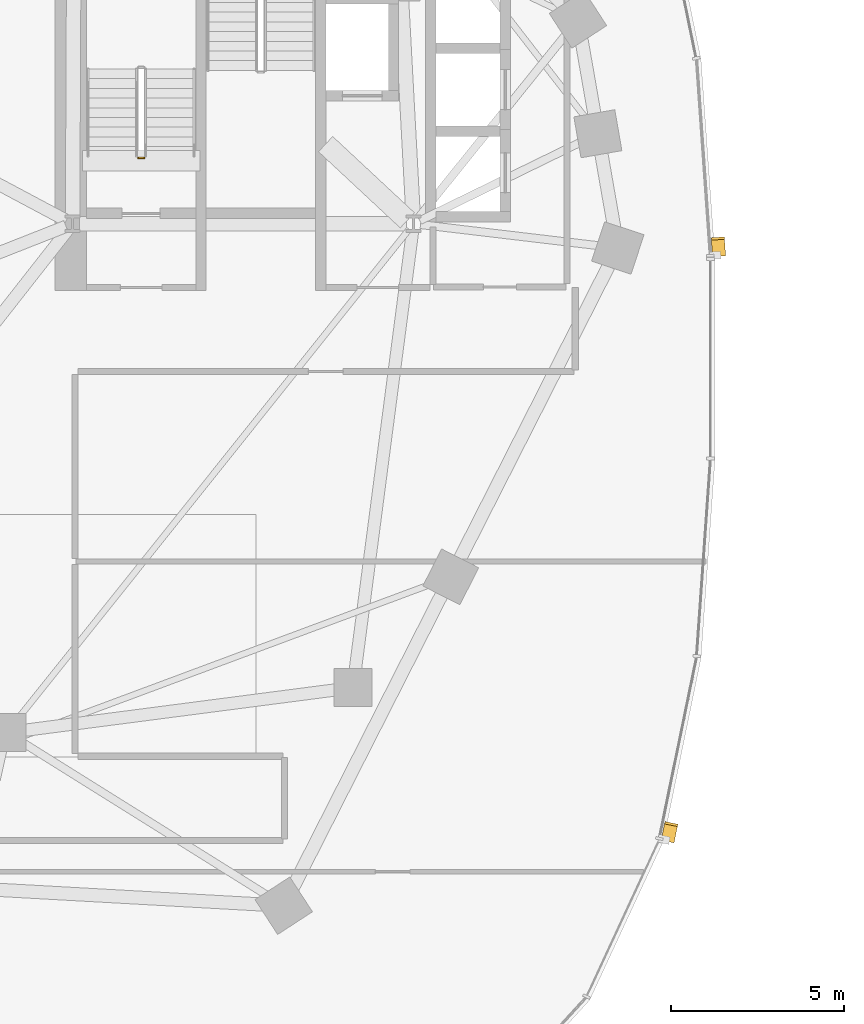
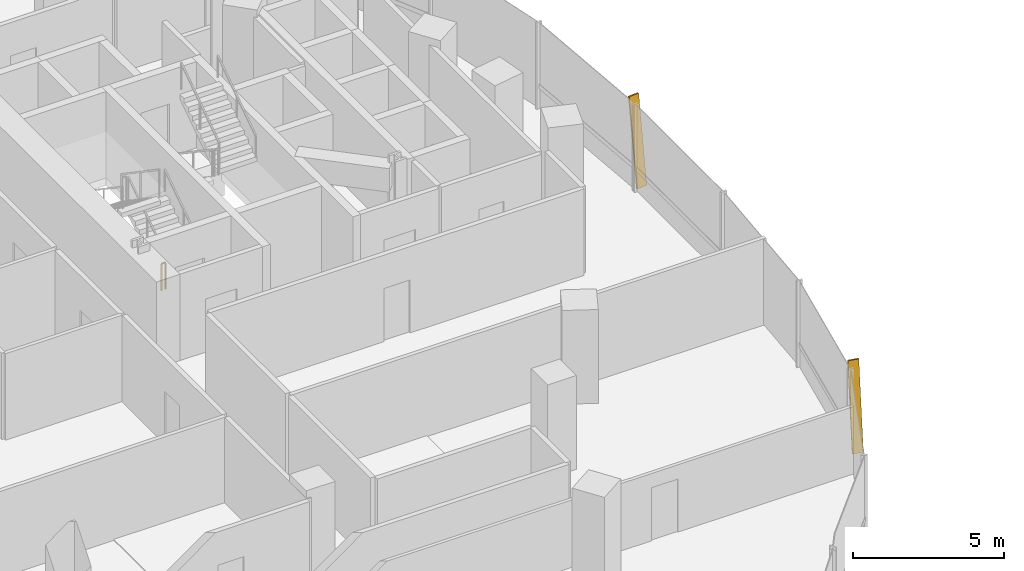
# One storey, part 18 of 21: 2 shading devices, 1 railing.
"""IFC4 building model written with IfcOpenShell, lengths in metres."""

from ifc_helpers import new_model, si_unit, direction, frame, origin, origin_2d, place, context, subcontext, project, spatial, rectangle, extrude, material, material_profile, profile_set, type_object, element, save


model = new_model("IFC4")

# Units and contexts
model_context = context("Model", 3, precision=1e-05, world=origin(), true_north=direction((0.0, 1.0)))
body_context = subcontext(model_context, "Body", "Model", "MODEL_VIEW")
ifc_project = project(units=[si_unit("LENGTHUNIT", "METRE"), si_unit("AREAUNIT", "SQUARE_METRE"), si_unit("VOLUMEUNIT", "CUBIC_METRE"), si_unit("PLANEANGLEUNIT", "RADIAN"), si_unit("MASSUNIT", "GRAM", prefix="KILO"), si_unit("THERMODYNAMICTEMPERATUREUNIT", "KELVIN"), si_unit("POWERUNIT", "WATT")], contexts=[model_context])

# Site, building, storey
site_placement = place(None, origin())
site = spatial("IfcSite", under=ifc_project, at=site_placement, CompositionType="ELEMENT")
building_placement = place(site_placement, origin())
building = spatial("IfcBuilding", under=site, at=building_placement, Name="Cundina Bronze Exchange", CompositionType="ELEMENT")
storey_placement = place(building_placement, frame((0.0, 0.0, 58.199951171875)))
storey = spatial("IfcBuildingStorey", under=building, at=storey_placement, Name="L14", CompositionType="ELEMENT", Elevation=58.199951171875)

# Railing
ifc_material_1 = material(Name="Steel ASTM A36 Painted", Category="steel")
railing_type = type_object("IfcRailingType", Name="RLG-STG-1100", PredefinedType="GUARDRAIL", material=ifc_material_1)
railing_placement = place(storey_placement, frame((-29.239990234375, 5.800048828125, 0.0)))
element("IfcRailing", 1, at=railing_placement, inside=storey, type_object=railing_type, Name="L14 ST-W1 stair guard 4", PredefinedType="GUARDRAIL", context=body_context, shape_type="SweptSolid", body=[
    extrude(rectangle(XDim=0.048095703125, YDim=0.048095703125, at=origin_2d()), frame((0.0, 0.0, 1.076171875), z_axis=(-1.0, 0.0, 0.0), x_axis=(0.0, -1.0, 0.0)), (0.0, 0.0, 1.0), 0.159912109375),
    extrude(rectangle(XDim=0.0419921875, YDim=0.0419921875, at=origin_2d()), origin(), (0.0, 0.0, 1.0), 1.052001953125),
    extrude(rectangle(XDim=0.0419921875, YDim=0.0419921875, at=origin_2d()), frame((-0.159912109375, 0.0, 0.0)), (0.0, 0.0, 1.0), 1.052001953125),
])

# Shading devices
ifc_material_2 = material(Name="Anodised Bronze Aluminium 6063-T6", Category="aluminium")
ifc_material_profile = material_profile(ifc_material_2, rectangle(XDim=0.070068359375, YDim=0.3798828125, at=origin_2d()), Name="FIN70X380", Category="aluminium")
ifc_profile_set = profile_set([ifc_material_profile], Name="Anodised Bronze Aluminium 6063-T6")
shading_device_type = type_object("IfcShadingDeviceType", Name="SHD-FIN-BRZ380", PredefinedType="USERDEFINED", material=ifc_profile_set)
for number, where, z_axis, x_axis, name in (
    (2, (-12.6259765625, 2.993896484375, 0.02001953125), (-0.009645159174, 0.137059109714, 0.990515911709), (0.06953288269, -0.988072340253, 0.137398066402), "L14 Diagonal Bronze Solar Fin 1"),
    (3, (-14.10400390625, -13.911865234375, 0.02001953125), (0.027747134956, 0.134612045151, 0.990509815096), (-0.199966585563, -0.970114971774, 0.137442010309), "L14 Diagonal Bronze Solar Fin 5"),
):
    element("IfcShadingDevice", number, at=place(storey_placement, frame(where, z_axis=z_axis, x_axis=x_axis)), inside=storey, type_object=shading_device_type, Name=name, ObjectType="FIN", PredefinedType="USERDEFINED", context=body_context, shape_type="SweptSolid", body=[
        extrude(rectangle(XDim=0.070068359375, YDim=0.3798828125, at=origin_2d()), origin(), (0.0, 0.0, 1.0), 3.4931640625),
    ])

save(model, "model.ifc")
